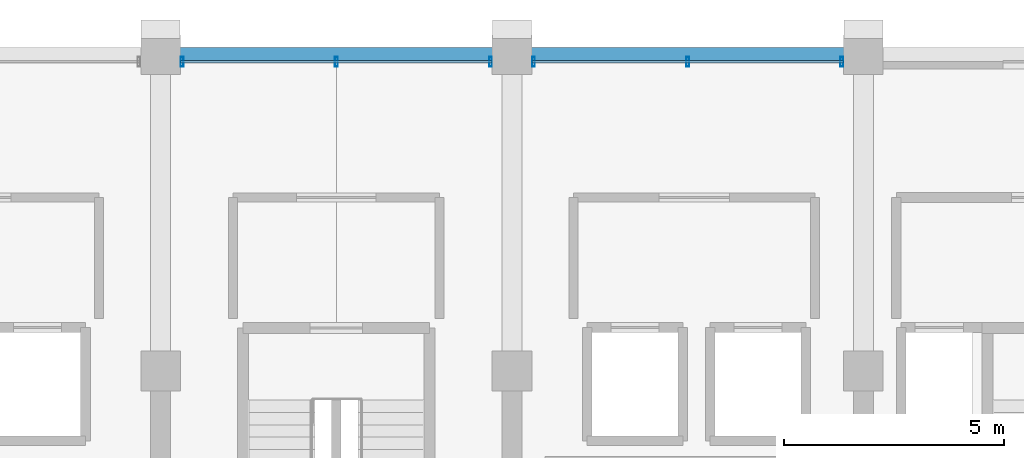
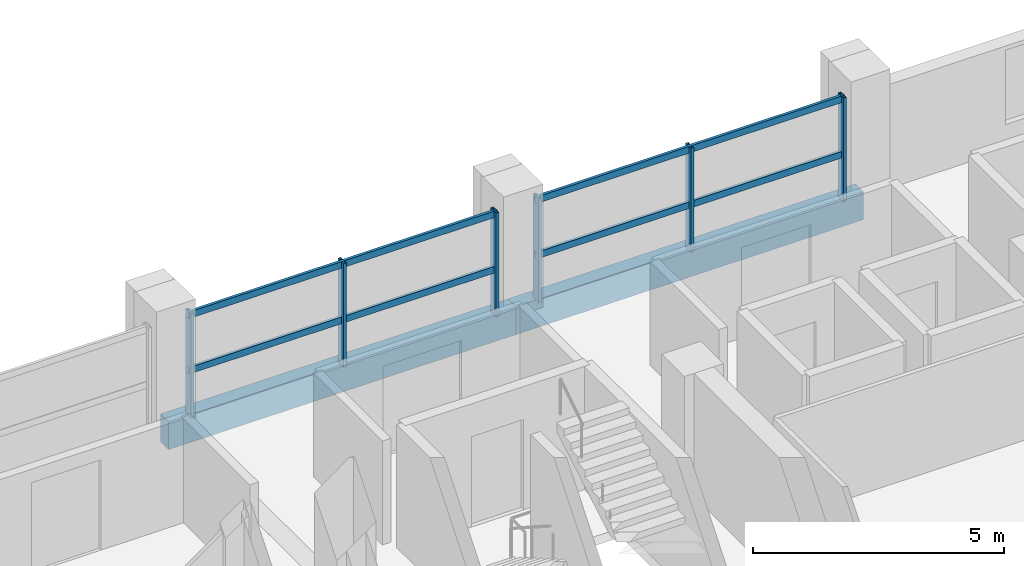
# One storey, part 12 of 22: 10 members, 2 beams, 2 elements without a shape of their own.
"""IFC4 building model written with IfcOpenShell, lengths in metres."""

from ifc_helpers import new_model, si_unit, direction, frame, origin, origin_2d, place, context, subcontext, project, spatial, rectangle, hollow_rectangle, extrude, material, material_profile, profile_set, type_object, element, aggregate, save


model = new_model("IFC4")

# Units and contexts
model_context = context("Model", 3, precision=1e-05, world=origin(), true_north=direction((0.0, 1.0)))
body_context = subcontext(model_context, "Body", "Model", "MODEL_VIEW")
ifc_project = project(units=[si_unit("LENGTHUNIT", "METRE"), si_unit("AREAUNIT", "SQUARE_METRE"), si_unit("VOLUMEUNIT", "CUBIC_METRE"), si_unit("PLANEANGLEUNIT", "RADIAN"), si_unit("MASSUNIT", "GRAM", prefix="KILO")], contexts=[model_context])

# Site, building, storey
site_placement = place(None, origin())
site = spatial("IfcSite", under=ifc_project, at=site_placement, CompositionType="ELEMENT")
building_placement = place(site_placement, origin())
building = spatial("IfcBuilding", under=site, at=building_placement, Name="Akrevak Sports Hall", CompositionType="ELEMENT")
storey_placement = place(building_placement, frame((0.0, 0.0, 30.800048828125)))
storey = spatial("IfcBuildingStorey", under=building, at=storey_placement, Name="L06", CompositionType="ELEMENT", Elevation=30.800048828125)

# Curtain wall, members
ifc_material_1 = material(Name="Anodized Bronze Aluminium & Low-E Glass", Category="aluminium")
curtain_wall_type = type_object("IfcCurtainWallType", Name="ARC-CW-TWR-64x30", PredefinedType="NOTDEFINED", material=ifc_material_1)
curtain_wall_1_placement = place(storey_placement, origin())
curtain_wall_1 = element("IfcCurtainWall", 1, at=curtain_wall_1_placement, inside=storey, type_object=curtain_wall_type, Name="Curtain Wall CW-L06-N22", PredefinedType="NOTDEFINED")
ifc_material_2 = material(Name="Anodized Bronze Aluminium", Category="aluminium")
ifc_material_profile_1 = material_profile(ifc_material_2, hollow_rectangle(XDim=0.06494140625, YDim=0.219970703125, WallThickness=0.00439453125, at=origin_2d()), Name="CWM 65x220", Category="aluminium")
ifc_profile_set_1 = profile_set([ifc_material_profile_1], Name="Anodized Bronze Aluminium")
member_type_1 = type_object("IfcMemberType", Name="ARC-CWM-70x160", PredefinedType="MULLION", material=ifc_profile_set_1)
member_1_placement = place(storey_placement, frame((91.510009765625, 69.43994140625, 0.0), z_axis=(0.0, 0.0, 1.0), x_axis=(-1.0, 0.0, 0.0)))
member_1 = element("IfcMember", 2, at=member_1_placement, type_object=member_type_1, Name="Curtain Wall Mullion CW-L06-N22-M1", PredefinedType="MULLION", context=body_context, shape_type="SweptSolid", body=[
    extrude(hollow_rectangle(XDim=0.06494140625, YDim=0.219970703125, WallThickness=0.00439453125, at=origin_2d()), origin(), (0.0, 0.0, 1.0), 2.530029296875),
])
member_2_placement = place(storey_placement, frame((88.0, 69.43994140625, 0.0), z_axis=(0.0, 0.0, 1.0), x_axis=(-1.0, 0.0, 0.0)))
member_2 = element("IfcMember", 3, at=member_2_placement, type_object=member_type_1, Name="Curtain Wall Mullion CW-L06-N22-M2", PredefinedType="MULLION", context=body_context, shape_type="SweptSolid", body=[
    extrude(hollow_rectangle(XDim=0.06494140625, YDim=0.219970703125, WallThickness=0.00439453125, at=origin_2d()), origin(), (0.0, 0.0, 1.0), 2.530029296875),
])
member_3_placement = place(storey_placement, frame((84.489990234375, 69.43994140625, 0.0), z_axis=(0.0, 0.0, 1.0), x_axis=(-1.0, 0.0, 0.0)))
member_3 = element("IfcMember", 4, at=member_3_placement, type_object=member_type_1, Name="Curtain Wall Mullion CW-L06-N22-M3", PredefinedType="MULLION", context=body_context, shape_type="SweptSolid", body=[
    extrude(hollow_rectangle(XDim=0.06494140625, YDim=0.219970703125, WallThickness=0.00439453125, at=origin_2d()), origin(), (0.0, 0.0, 1.0), 2.530029296875),
])

curtain_wall_2_placement = place(storey_placement, origin())
curtain_wall_2 = element("IfcCurtainWall", 5, at=curtain_wall_2_placement, inside=storey, type_object=curtain_wall_type, Name="Curtain Wall CW-L06-N23", PredefinedType="NOTDEFINED")
member_4_placement = place(storey_placement, frame((83.510009765625, 69.43994140625, 0.0), z_axis=(0.0, 0.0, 1.0), x_axis=(-1.0, 0.0, 0.0)))
member_4 = element("IfcMember", 6, at=member_4_placement, type_object=member_type_1, Name="Curtain Wall Mullion CW-L06-N23-M1", PredefinedType="MULLION", context=body_context, shape_type="SweptSolid", body=[
    extrude(hollow_rectangle(XDim=0.06494140625, YDim=0.219970703125, WallThickness=0.00439453125, at=origin_2d()), origin(), (0.0, 0.0, 1.0), 2.530029296875),
])
member_5_placement = place(storey_placement, frame((80.0, 69.43994140625, 0.0), z_axis=(0.0, 0.0, 1.0), x_axis=(-1.0, 0.0, 0.0)))
member_5 = element("IfcMember", 7, at=member_5_placement, type_object=member_type_1, Name="Curtain Wall Mullion CW-L06-N23-M2", PredefinedType="MULLION", context=body_context, shape_type="SweptSolid", body=[
    extrude(hollow_rectangle(XDim=0.06494140625, YDim=0.219970703125, WallThickness=0.00439453125, at=origin_2d()), origin(), (0.0, 0.0, 1.0), 2.530029296875),
])
member_6_placement = place(storey_placement, frame((76.489990234375, 69.43994140625, 0.0), z_axis=(0.0, 0.0, 1.0), x_axis=(-1.0, 0.0, 0.0)))
member_6 = element("IfcMember", 8, at=member_6_placement, type_object=member_type_1, Name="Curtain Wall Mullion CW-L06-N23-M3", PredefinedType="MULLION", context=body_context, shape_type="SweptSolid", body=[
    extrude(hollow_rectangle(XDim=0.06494140625, YDim=0.219970703125, WallThickness=0.00439453125, at=origin_2d()), origin(), (0.0, 0.0, 1.0), 2.530029296875),
])

# Member
ifc_material_profile_2 = material_profile(ifc_material_2, hollow_rectangle(XDim=0.06494140625, YDim=0.159912109375, WallThickness=0.00390625, at=origin_2d()), Name="CWT 65x160", Category="aluminium")
ifc_profile_set_2 = profile_set([ifc_material_profile_2], Name="Anodized Bronze Aluminium")
member_type_2 = type_object("IfcMemberType", Name="ARC-CWT-70x130", PredefinedType="USERDEFINED", material=ifc_profile_set_2)
member_7_placement = place(storey_placement, frame((91.550048828125, 69.43994140625, 1.099853515625), z_axis=(-1.0, 0.0, 0.0), x_axis=(0.0, -1.0, 0.0)))
member_7 = element("IfcMember", 9, at=member_7_placement, type_object=member_type_2, Name="Curtain Wall Transom CW-L06-N22-T1", ObjectType="TRANSOM", PredefinedType="USERDEFINED", context=body_context, shape_type="SweptSolid", body=[
    extrude(hollow_rectangle(XDim=0.06494140625, YDim=0.159912109375, WallThickness=0.00390625, at=origin_2d()), origin(), (0.0, 0.0, 1.0), 7.10009765625),
])

member_8_placement = place(storey_placement, frame((91.550048828125, 69.43994140625, 2.449951171875), z_axis=(-1.0, 0.0, 0.0), x_axis=(0.0, -1.0, 0.0)))
member_8 = element("IfcMember", 10, at=member_8_placement, type_object=member_type_2, Name="Curtain Wall Transom CW-L06-N22-T2", ObjectType="TRANSOM", PredefinedType="USERDEFINED", context=body_context, shape_type="SweptSolid", body=[
    extrude(hollow_rectangle(XDim=0.06494140625, YDim=0.159912109375, WallThickness=0.00390625, at=origin_2d()), origin(), (0.0, 0.0, 1.0), 7.10009765625),
])

aggregate(curtain_wall_1, [member_1, member_2, member_3, member_7, member_8])

member_9_placement = place(storey_placement, frame((83.550048828125, 69.43994140625, 1.099853515625), z_axis=(-1.0, 0.0, 0.0), x_axis=(0.0, -1.0, 0.0)))
member_9 = element("IfcMember", 11, at=member_9_placement, type_object=member_type_2, Name="Curtain Wall Transom CW-L06-N23-T1", ObjectType="TRANSOM", PredefinedType="USERDEFINED", context=body_context, shape_type="SweptSolid", body=[
    extrude(hollow_rectangle(XDim=0.06494140625, YDim=0.159912109375, WallThickness=0.00390625, at=origin_2d()), origin(), (0.0, 0.0, 1.0), 7.10009765625),
])

member_10_placement = place(storey_placement, frame((83.550048828125, 69.43994140625, 2.449951171875), z_axis=(-1.0, 0.0, 0.0), x_axis=(0.0, -1.0, 0.0)))
member_10 = element("IfcMember", 12, at=member_10_placement, type_object=member_type_2, Name="Curtain Wall Transom CW-L06-N23-T2", ObjectType="TRANSOM", PredefinedType="USERDEFINED", context=body_context, shape_type="SweptSolid", body=[
    extrude(hollow_rectangle(XDim=0.06494140625, YDim=0.159912109375, WallThickness=0.00390625, at=origin_2d()), origin(), (0.0, 0.0, 1.0), 7.10009765625),
])

aggregate(curtain_wall_2, [member_4, member_5, member_6, member_9, member_10])

# Beams
ifc_material_3 = material(Name="Concrete C40/50", Category="concrete")
ifc_material_profile_3 = material_profile(ifc_material_3, rectangle(XDim=0.320068359375, YDim=0.679931640625, at=origin_2d()), Name="SPD 320x680", Category="concrete")
ifc_profile_set_3 = profile_set([ifc_material_profile_3], Name="Concrete C40/50")
beam_type = type_object("IfcBeamType", Name="STR-SPD-RC320x680", PredefinedType="SPANDREL", material=ifc_profile_set_3)
for number, where, z_axis, x_axis, name in (
    (13, (76.0, 69.60009765625, -0.340087890625), (1.0, 0.0, 0.0), (0.0, 1.0, 0.0), "Girder K/11-12 (L06)"),
    (14, (84.0, 69.60009765625, -0.340087890625), (1.0, 0.0, 0.0), (0.0, 1.0, 0.0), "Girder K/12-13 (L06)"),
):
    element("IfcBeam", number, at=place(storey_placement, frame(where, z_axis=z_axis, x_axis=x_axis)), inside=storey, type_object=beam_type, Name=name, PredefinedType="SPANDREL", context=body_context, shape_type="SweptSolid", body=[
        extrude(rectangle(XDim=0.320068359375, YDim=0.679931640625, at=origin_2d()), origin(), (0.0, 0.0, 1.0), 8.0),
    ])

save(model, "model.ifc")
